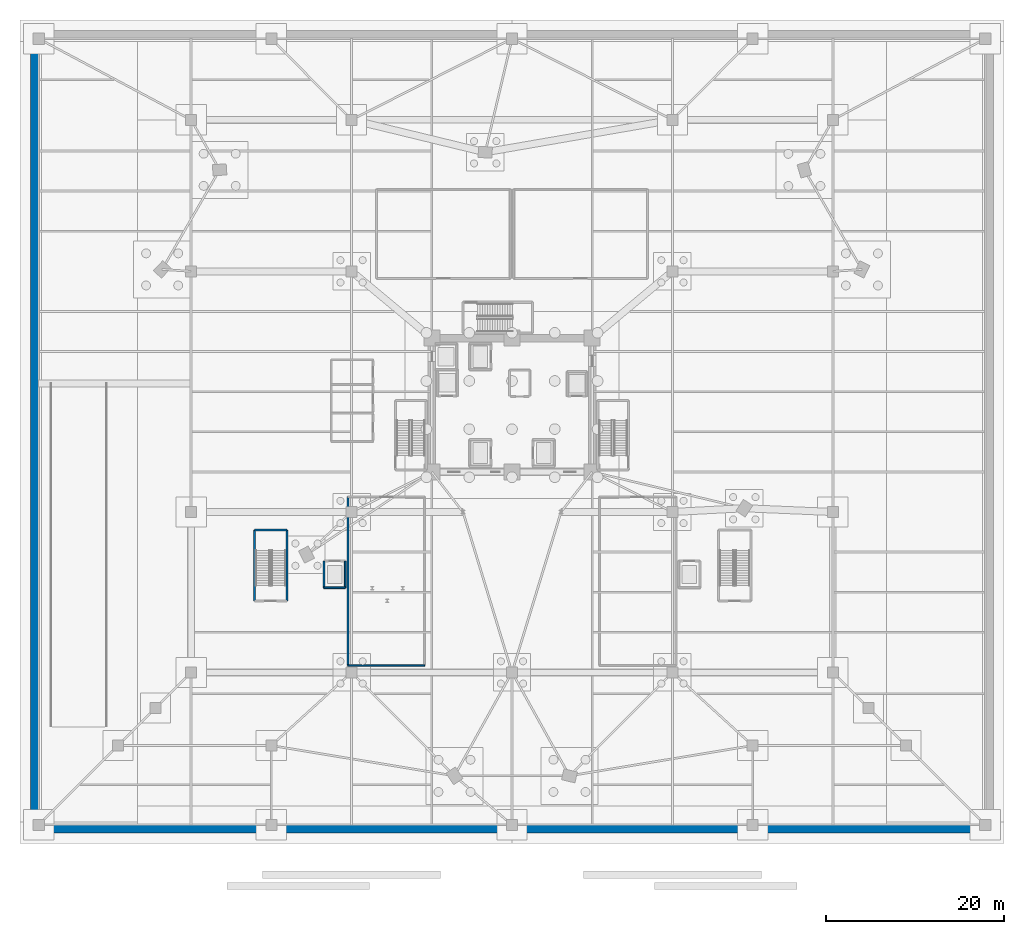
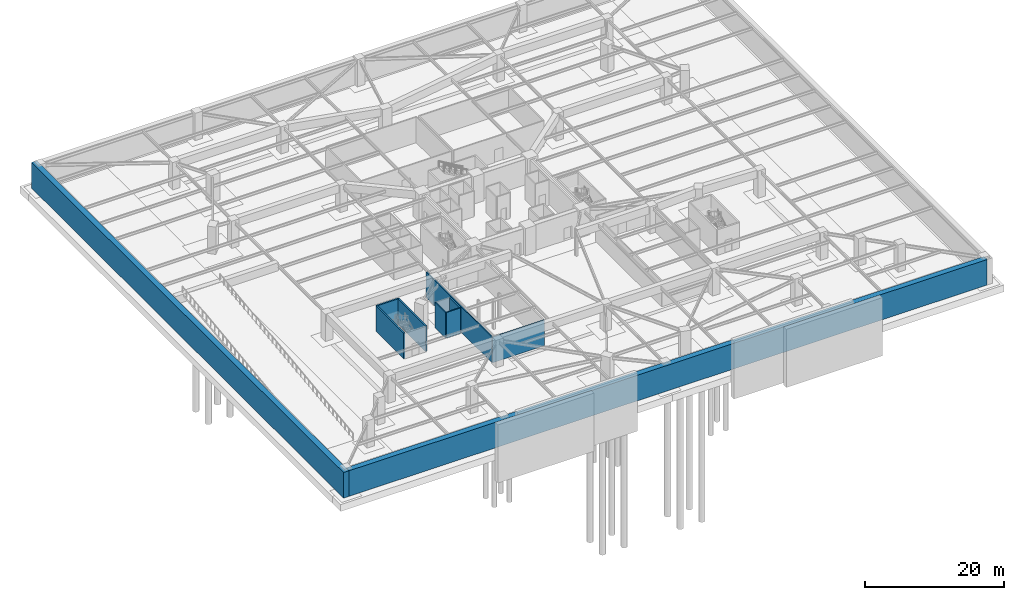
# One storey, part 9 of 19: 10 walls.
"""IFC4 building model written with IfcOpenShell, lengths in metres."""

from ifc_helpers import new_model, si_unit, direction, frame, frame_2d, origin, place, context, subcontext, project, spatial, rectangle, extrude, material, layer, layer_set, type_object, element, save


model = new_model("IFC4")

# Units and contexts
model_context = context("Model", 3, precision=1e-05, world=origin(), true_north=direction((0.0, 1.0)))
body_context = subcontext(model_context, "Body", "Model", "MODEL_VIEW")
ifc_project = project(units=[si_unit("LENGTHUNIT", "METRE"), si_unit("AREAUNIT", "SQUARE_METRE"), si_unit("VOLUMEUNIT", "CUBIC_METRE"), si_unit("PLANEANGLEUNIT", "RADIAN"), si_unit("MASSUNIT", "GRAM", prefix="KILO")], contexts=[model_context])

# Site, building, storey
site_placement = place(None, origin())
site = spatial("IfcSite", under=ifc_project, at=site_placement, CompositionType="ELEMENT")
building_placement = place(site_placement, origin())
building = spatial("IfcBuilding", under=site, at=building_placement, Name="Liaohun Quay Tower", CompositionType="ELEMENT")
storey_placement = place(building_placement, frame((0.0, 0.0, -9.60009765625)))
storey = spatial("IfcBuildingStorey", under=building, at=storey_placement, Name="B2", CompositionType="ELEMENT", Elevation=-9.60009765625)

# Walls
ifc_material_1 = material(Name="Autoclaved aerated concrete blockwork", Category="masonry")
ifc_layer_1 = layer(ifc_material_1, 0.179931640625, Name="Autoclaved aerated concrete blockwork", Category="masonry")
ifc_layer_set_1 = layer_set([ifc_layer_1], Name="Autoclaved aerated concrete blockwork")
wall_type_1 = type_object("IfcWallType", Name="WAL-PRT-COR", PredefinedType="PARTITIONING", material=ifc_layer_set_1)
wall_1_placement = place(storey_placement, frame((41.60009765625, 24.800048828125, 0.0), z_axis=(0.0, 0.0, 1.0), x_axis=(1.0, 0.0, 0.0)))
element("IfcWall", 1, at=wall_1_placement, inside=storey, type_object=wall_type_1, Name="B2 Interior Partition Wall 017", PredefinedType="PARTITIONING", context=body_context, shape_type="SweptSolid", body=[
    extrude(rectangle(XDim=8.599853515625, YDim=0.179931640625, at=frame_2d((4.2998046875, 0.0))), origin(), (0.0, 0.0, 1.0), 4.5),
])
wall_2_placement = place(storey_placement, frame((41.60009765625, 24.800048828125, 0.0), z_axis=(0.0, 0.0, 1.0), x_axis=(0.0, 1.0, 0.0)))
element("IfcWall", 2, at=wall_2_placement, inside=storey, type_object=wall_type_1, Name="B2 Interior Partition Wall 018", PredefinedType="PARTITIONING", context=body_context, shape_type="SweptSolid", body=[
    extrude(rectangle(XDim=18.89990234375, YDim=0.179931640625, at=frame_2d((9.449951171875, 0.0))), origin(), (0.0, 0.0, 1.0), 4.5),
])
ifc_material_2 = material(Name="Concrete C50", Category="concrete")
ifc_layer_2 = layer(ifc_material_2, 0.89990234375, Name="Concrete C50", Category="concrete")
ifc_layer_set_2 = layer_set([ifc_layer_2], Name="Concrete C50")
wall_type_2 = type_object("IfcWallType", Name="WAL-RET-B2", PredefinedType="USERDEFINED", material=ifc_layer_set_2)
wall_3_placement = place(storey_placement, frame((6.449951171875, 6.0, 0.0), z_axis=(0.0, 0.0, 1.0), x_axis=(0.0, 1.0, 0.0)))
element("IfcWall", 3, at=wall_3_placement, inside=storey, type_object=wall_type_2, Name="B2 Waterproof Retaining Wall W", ObjectType="RETAINING WALL", PredefinedType="USERDEFINED", context=body_context, shape_type="SweptSolid", body=[
    extrude(rectangle(XDim=90.0, YDim=0.89990234375, at=frame_2d((45.0, 0.0))), origin(), (0.0, 0.0, 1.0), 4.5),
])
wall_4_placement = place(storey_placement, frame((113.10009765625, 6.449951171875, 0.0), z_axis=(0.0, 0.0, 1.0), x_axis=(-1.0, 0.0, 0.0)))
element("IfcWall", 4, at=wall_4_placement, inside=storey, type_object=wall_type_2, Name="B2 Waterproof Retaining Wall S", ObjectType="RETAINING WALL", PredefinedType="USERDEFINED", context=body_context, shape_type="SweptSolid", body=[
    extrude(rectangle(XDim=106.2001953125, YDim=0.89990234375, at=frame_2d((53.10009765625, 0.0))), origin(), (0.0, 0.0, 1.0), 4.5),
])
ifc_layer_3 = layer(ifc_material_2, 0.239990234375, Name="Concrete C50", Category="concrete")
ifc_layer_set_3 = layer_set([ifc_layer_3], Name="Concrete C50")
wall_type_3 = type_object("IfcWallType", Name="WAL-SHF-200", PredefinedType="SOLIDWALL", material=ifc_layer_set_3)
wall_5_placement = place(storey_placement, frame((34.739990234375, 32.0, 0.0), z_axis=(0.0, 0.0, 1.0), x_axis=(0.0, 1.0, 0.0)))
element("IfcWall", 5, at=wall_5_placement, inside=storey, type_object=wall_type_3, Name="B2 Stairwell ST-P1 Structural Core Wall E", PredefinedType="SOLIDWALL", context=body_context, shape_type="SweptSolid", body=[
    extrude(rectangle(XDim=8.0, YDim=0.239990234375, at=frame_2d((4.0, 0.0))), origin(), (0.0, 0.0, 1.0), 4.5),
])
wall_6_placement = place(storey_placement, frame((34.739990234375, 40.0, 0.0), z_axis=(0.0, 0.0, 1.0), x_axis=(-1.0, 0.0, 0.0)))
element("IfcWall", 6, at=wall_6_placement, inside=storey, type_object=wall_type_3, Name="B2 Stairwell ST-P1 Structural Core Wall N", PredefinedType="SOLIDWALL", context=body_context, shape_type="SweptSolid", body=[
    extrude(rectangle(XDim=3.639892578125, YDim=0.239990234375, at=frame_2d((1.81982421875, 0.0))), origin(), (0.0, 0.0, 1.0), 4.5),
])
wall_7_placement = place(storey_placement, frame((31.10009765625, 40.0, 0.0), z_axis=(0.0, 0.0, 1.0), x_axis=(0.0, -1.0, 0.0)))
element("IfcWall", 7, at=wall_7_placement, inside=storey, type_object=wall_type_3, Name="B2 Stairwell ST-P1 Structural Core Wall W", PredefinedType="SOLIDWALL", context=body_context, shape_type="SweptSolid", body=[
    extrude(rectangle(XDim=8.0, YDim=0.239990234375, at=frame_2d((4.0, 0.0))), origin(), (0.0, 0.0, 1.0), 4.5),
])
wall_8_placement = place(storey_placement, frame((38.89990234375, 33.5, 0.0), z_axis=(0.0, 0.0, 1.0), x_axis=(1.0, 0.0, 0.0)))
element("IfcWall", 8, at=wall_8_placement, inside=storey, type_object=wall_type_3, Name="B2 Lift PD-01 Hoistway Wall S", PredefinedType="SOLIDWALL", context=body_context, shape_type="SweptSolid", body=[
    extrude(rectangle(XDim=2.400146484375, YDim=0.199951171875, at=frame_2d((1.2001953125, 0.0))), origin(), (0.0, 0.0, 1.0), 4.5),
])
for number, where, z_axis, x_axis, name in (
    (9, (41.300048828125, 33.5, 0.0), (0.0, 0.0, 1.0), (0.0, 1.0, 0.0), "B2 Lift PD-01 Hoistway Wall E"),
    (10, (38.89990234375, 36.5, 0.0), (0.0, 0.0, 1.0), (0.0, -1.0, 0.0), "B2 Lift PD-01 Hoistway Wall W"),
):
    element("IfcWall", number, at=place(storey_placement, frame(where, z_axis=z_axis, x_axis=x_axis)), inside=storey, type_object=wall_type_3, Name=name, PredefinedType="SOLIDWALL", context=body_context, shape_type="SweptSolid", body=[
        extrude(rectangle(XDim=3.0, YDim=0.199951171875, at=frame_2d((1.5, 0.0))), origin(), (0.0, 0.0, 1.0), 4.5),
    ])

save(model, "model.ifc")
